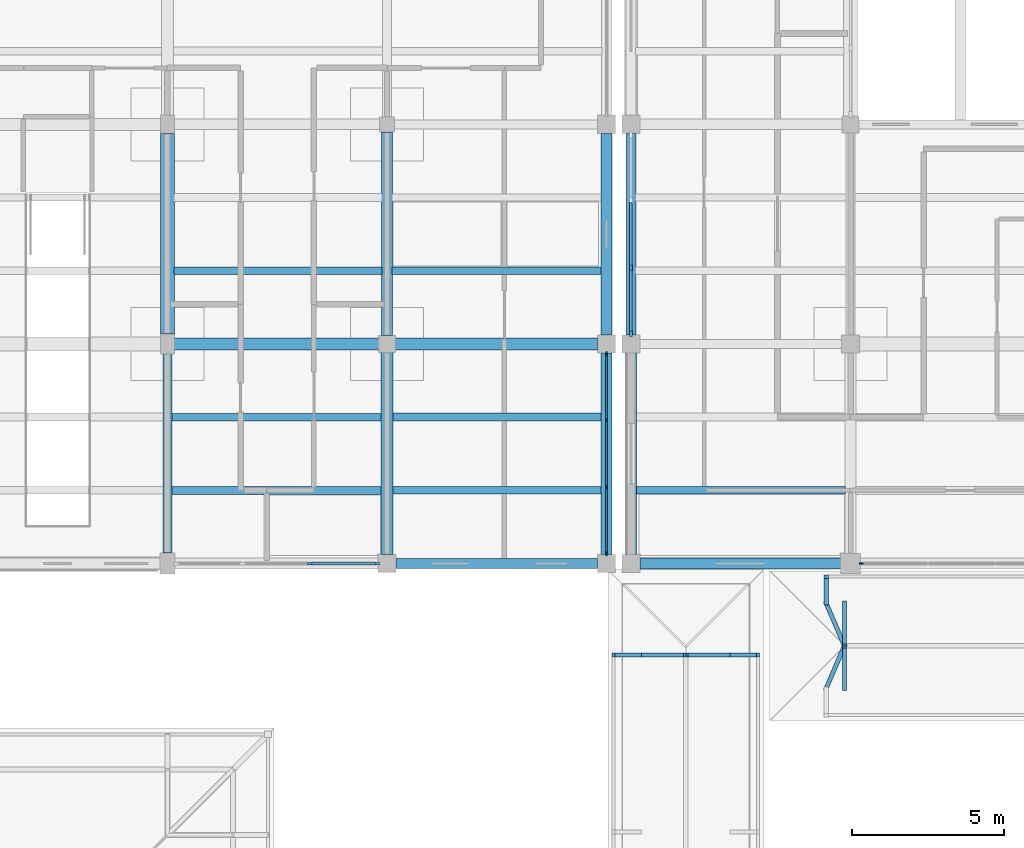
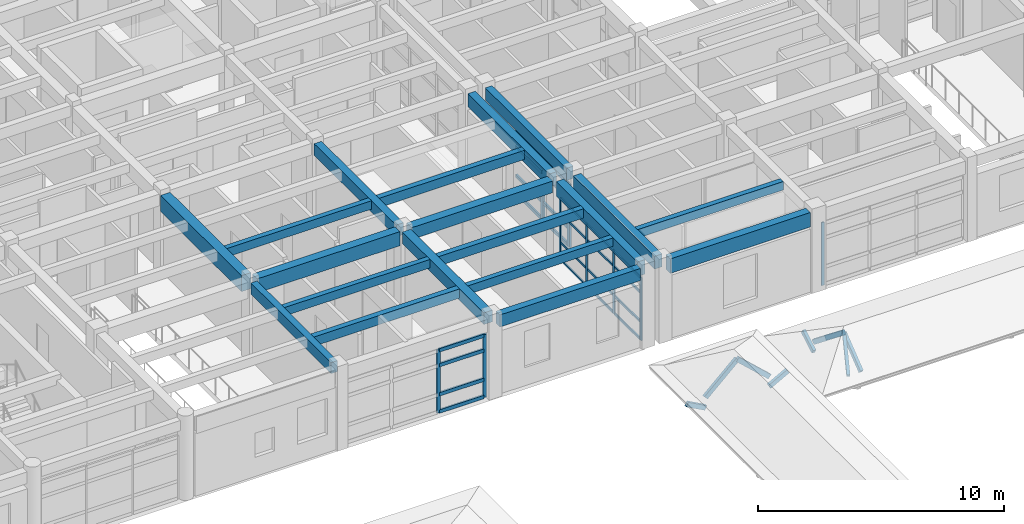
# One storey, part 12 of 110: 42 members, 19 beams, 4 elements without a shape of their own.
"""IFC4 building model written with IfcOpenShell, lengths in metres."""

from ifc_helpers import new_model, si_unit, direction, frame, origin, origin_2d, place, context, subcontext, project, spatial, rectangle, extrude, material, material_profile, profile_set, type_object, element, aggregate, save


model = new_model("IFC4")

# Units and contexts
model_context = context("Model", 3, precision=1e-05, world=origin(), true_north=direction((0.0, 1.0)))
body_context = subcontext(model_context, "Body", "Model", "MODEL_VIEW")
ifc_project = project(units=[si_unit("LENGTHUNIT", "METRE"), si_unit("AREAUNIT", "SQUARE_METRE"), si_unit("VOLUMEUNIT", "CUBIC_METRE"), si_unit("PLANEANGLEUNIT", "RADIAN"), si_unit("MASSUNIT", "GRAM", prefix="KILO")], contexts=[model_context])

# Site, building, storey
site_placement = place(None, origin())
site = spatial("IfcSite", under=ifc_project, at=site_placement, CompositionType="ELEMENT")
building_placement = place(site_placement, origin())
building = spatial("IfcBuilding", under=site, at=building_placement, Name="Steenspoor Specialist Clinic", CompositionType="ELEMENT")
storey_placement = place(building_placement, frame((0.0, 0.0, 4.800048828125)))
storey = spatial("IfcBuildingStorey", under=building, at=storey_placement, Name="L01", CompositionType="ELEMENT", Elevation=4.800048828125)

# Beams
ifc_material_1 = material(Name="Concrete C35/45", Category="concrete")
ifc_material_profile_1 = material_profile(ifc_material_1, rectangle(XDim=0.300048828125, YDim=0.550048828125, at=origin_2d()), Name="RC-BM-300X550")
ifc_profile_set_1 = profile_set([ifc_material_profile_1], Name="Concrete C35/45")
beam_type_1 = type_object("IfcBeamType", Name="BM-RC-300X550", PredefinedType="BEAM", material=ifc_profile_set_1)
beam_1_placement = place(storey_placement, frame((37.199951171875, 65.4951171875, 3.675048828125), z_axis=(0.0, 1.0, 0.0), x_axis=(-1.0, 0.0, 0.0)))
element("IfcBeam", 1, at=beam_1_placement, inside=storey, type_object=beam_type_1, Name="BM-V5-L01-Y1188", PredefinedType="BEAM", context=body_context, shape_type="SweptSolid", body=[
    extrude(rectangle(XDim=0.300048828125, YDim=0.550048828125, at=origin_2d()), origin(), (0.0, 0.0, 1.0), 6.534912109375),
])
ifc_material_profile_2 = material_profile(ifc_material_1, rectangle(XDim=0.35009765625, YDim=0.580078125, at=origin_2d()), Name="RC-BM-350X580")
ifc_profile_set_2 = profile_set([ifc_material_profile_2], Name="Concrete C35/45")
beam_type_2 = type_object("IfcBeamType", Name="BM-RC-350X580", PredefinedType="BEAM", material=ifc_profile_set_2)
beam_2_placement = place(storey_placement, frame((44.39990234375, 72.6201171875, 3.659912109375), z_axis=(0.0, 1.0, 0.0), x_axis=(-1.0, 0.0, 0.0)))
element("IfcBeam", 2, at=beam_2_placement, inside=storey, type_object=beam_type_2, Name="BM-V5-L01-Y1195", PredefinedType="BEAM", context=body_context, shape_type="SweptSolid", body=[
    extrude(rectangle(XDim=0.35009765625, YDim=0.580078125, at=origin_2d()), origin(), (0.0, 0.0, 1.0), 6.684814453125),
])
ifc_material_profile_3 = material_profile(ifc_material_1, rectangle(XDim=0.39990234375, YDim=0.580078125, at=origin_2d()), Name="RC-BM-400X580")
ifc_profile_set_3 = profile_set([ifc_material_profile_3], Name="Concrete C35/45")
beam_type_3 = type_object("IfcBeamType", Name="BM-RC-400X580", PredefinedType="BEAM", material=ifc_profile_set_3)
for number, where, z_axis, x_axis, name in (
    (3, (44.669921875, 72.35009765625, 3.659912109375), (1.0, 0.0, 0.0), (0.0, 1.0, 0.0), "BM-V5-L01-X1160"),
    (4, (44.39990234375, 65.445068359375, 3.659912109375), (0.0, 1.0, 0.0), (-1.0, 0.0, 0.0), "BM-V5-L01-Y1194"),
):
    element("IfcBeam", number, at=place(storey_placement, frame(where, z_axis=z_axis, x_axis=x_axis)), inside=storey, type_object=beam_type_3, Name=name, PredefinedType="BEAM", context=body_context, shape_type="SweptSolid", body=[
        extrude(rectangle(XDim=0.39990234375, YDim=0.580078125, at=origin_2d()), origin(), (0.0, 0.0, 1.0), 6.635009765625),
    ])
ifc_material_profile_4 = material_profile(ifc_material_1, rectangle(XDim=0.39990234375, YDim=0.699951171875, at=origin_2d()), Name="RC-BM-400X700")
ifc_profile_set_4 = profile_set([ifc_material_profile_4], Name="Concrete C35/45")
beam_type_4 = type_object("IfcBeamType", Name="BM-RC-400X700", PredefinedType="BEAM", material=ifc_profile_set_4)
beam_3_placement = place(storey_placement, frame((37.419921875, 72.35009765625, 3.599853515625), z_axis=(1.0, 0.0, 0.0), x_axis=(0.0, 1.0, 0.0)))
element("IfcBeam", 5, at=beam_3_placement, inside=storey, type_object=beam_type_4, Name="BM-V5-L01-X1159", PredefinedType="BEAM", context=body_context, shape_type="SweptSolid", body=[
    extrude(rectangle(XDim=0.39990234375, YDim=0.699951171875, at=origin_2d()), origin(), (0.0, 0.0, 1.0), 6.7099609375),
])
ifc_material_profile_5 = material_profile(ifc_material_1, rectangle(XDim=0.449951171875, YDim=0.800048828125, at=origin_2d()), Name="RC-BM-450X800")
ifc_profile_set_5 = profile_set([ifc_material_profile_5], Name="Concrete C35/45")
beam_type_5 = type_object("IfcBeamType", Name="BM-RC-450X800", PredefinedType="BEAM", material=ifc_profile_set_5)
beam_4_placement = place(storey_placement, frame((37.199951171875, 72.669921875, 3.550048828125), z_axis=(0.0, 1.0, 0.0), x_axis=(-1.0, 0.0, 0.0)))
element("IfcBeam", 6, at=beam_4_placement, inside=storey, type_object=beam_type_5, Name="BM-V5-L01-Y1189", PredefinedType="BEAM", context=body_context, shape_type="SweptSolid", body=[
    extrude(rectangle(XDim=0.449951171875, YDim=0.800048828125, at=origin_2d()), origin(), (0.0, 0.0, 1.0), 6.5849609375),
])

# Curtain wall, member
ifc_material_2 = material(Name="Thermally broken aluminium and low-emissivity glass", Category="aluminium")
curtain_wall_type_1 = type_object("IfcCurtainWallType", Name="CW-TYP-240X355", PredefinedType="USERDEFINED", material=ifc_material_2)
curtain_wall_1_placement = place(storey_placement, origin())
curtain_wall_1 = element("IfcCurtainWall", 7, at=curtain_wall_1_placement, inside=storey, type_object=curtain_wall_type_1, Name="Unitised Curtain Wall CW-V4-L01-064", ObjectType="UNITISED GLAZING", PredefinedType="USERDEFINED")
ifc_material_3 = material(Name="Thermally broken aluminium 6063-T6", Category="aluminium")
ifc_material_profile_6 = material_profile(ifc_material_3, rectangle(XDim=0.06005859375, YDim=0.135009765625, at=origin_2d()), Name="CWM-60X135")
ifc_profile_set_6 = profile_set([ifc_material_profile_6], Name="Thermally broken aluminium 6063-T6")
member_type_1 = type_object("IfcMemberType", Name="CW-MULL-60X135", PredefinedType="MULLION", material=ifc_profile_set_6)
member_1_placement = place(storey_placement, frame((59.955078125, 65.14990234375, 0.0), z_axis=(0.0, 0.0, 1.0), x_axis=(0.0, -1.0, 0.0)))
member_1 = element("IfcMember", 8, at=member_1_placement, type_object=member_type_1, Name="CW-16 mullion 4", PredefinedType="MULLION", context=body_context, shape_type="SweptSolid", body=[
    extrude(rectangle(XDim=0.06005859375, YDim=0.135009765625, at=origin_2d()), origin(), (0.0, 0.0, 1.0), 3.1298828125),
])
aggregate(curtain_wall_1, [member_1])

# Curtain wall, members
curtain_wall_type_2 = type_object("IfcCurtainWallType", Name="CW-L00-660X415", PredefinedType="USERDEFINED", material=ifc_material_2)
curtain_wall_2_placement = place(storey_placement, origin())
curtain_wall_2 = element("IfcCurtainWall", 9, at=curtain_wall_2_placement, inside=storey, type_object=curtain_wall_type_2, Name="Unitised Curtain Wall CW-V5-L01-148", ObjectType="UNITISED GLAZING", PredefinedType="USERDEFINED")
member_2_placement = place(storey_placement, frame((51.60009765625, 72.02001953125, 0.0), z_axis=(0.0, 0.0, 1.0), x_axis=(1.0, 0.0, 0.0)))
member_2 = element("IfcMember", 10, at=member_2_placement, type_object=member_type_1, Name="CW-04 mullion 1", PredefinedType="MULLION", context=body_context, shape_type="SweptSolid", body=[
    extrude(rectangle(XDim=0.06005859375, YDim=0.135009765625, at=origin_2d()), origin(), (0.0, 0.0, 1.0), 3.1298828125),
])
member_3_placement = place(storey_placement, frame((51.60009765625, 69.85009765625, 0.0), z_axis=(0.0, 0.0, 1.0), x_axis=(1.0, 0.0, 0.0)))
member_3 = element("IfcMember", 11, at=member_3_placement, type_object=member_type_1, Name="CW-04 mullion 2", PredefinedType="MULLION", context=body_context, shape_type="SweptSolid", body=[
    extrude(rectangle(XDim=0.06005859375, YDim=0.135009765625, at=origin_2d()), origin(), (0.0, 0.0, 1.0), 3.1298828125),
])
member_4_placement = place(storey_placement, frame((51.60009765625, 67.64990234375, 0.0), z_axis=(0.0, 0.0, 1.0), x_axis=(1.0, 0.0, 0.0)))
member_4 = element("IfcMember", 12, at=member_4_placement, type_object=member_type_1, Name="CW-04 mullion 3", PredefinedType="MULLION", context=body_context, shape_type="SweptSolid", body=[
    extrude(rectangle(XDim=0.06005859375, YDim=0.135009765625, at=origin_2d()), origin(), (0.0, 0.0, 1.0), 3.1298828125),
])
member_5_placement = place(storey_placement, frame((51.60009765625, 65.47998046875, 0.0), z_axis=(0.0, 0.0, 1.0), x_axis=(1.0, 0.0, 0.0)))
member_5 = element("IfcMember", 13, at=member_5_placement, type_object=member_type_1, Name="CW-04 mullion 4", PredefinedType="MULLION", context=body_context, shape_type="SweptSolid", body=[
    extrude(rectangle(XDim=0.06005859375, YDim=0.135009765625, at=origin_2d()), origin(), (0.0, 0.0, 1.0), 3.1298828125),
])

curtain_wall_type_3 = type_object("IfcCurtainWallType", Name="CW-SCR-360X320", PredefinedType="USERDEFINED", material=ifc_material_2)
curtain_wall_3_placement = place(storey_placement, origin())
curtain_wall_3 = element("IfcCurtainWall", 14, at=curtain_wall_3_placement, inside=storey, type_object=curtain_wall_type_3, Name="Unitised Curtain Wall CW-V5-L01-139", ObjectType="UNITISED GLAZING", PredefinedType="USERDEFINED")
ifc_material_profile_7 = material_profile(ifc_material_3, rectangle(XDim=0.080078125, YDim=0.179931640625, at=origin_2d()), Name="CWM-80X180")
ifc_profile_set_7 = profile_set([ifc_material_profile_7], Name="Thermally broken aluminium 6063-T6")
member_type_2 = type_object("IfcMemberType", Name="CW-MULL-80X180", PredefinedType="MULLION", material=ifc_profile_set_7)
member_6_placement = place(storey_placement, frame((44.06005859375, 65.14990234375, 0.0), z_axis=(0.0, 0.0, 1.0), x_axis=(0.0, -1.0, 0.0)))
member_6 = element("IfcMember", 15, at=member_6_placement, type_object=member_type_2, Name="CW-19 mullion 1", PredefinedType="MULLION", context=body_context, shape_type="SweptSolid", body=[
    extrude(rectangle(XDim=0.080078125, YDim=0.179931640625, at=origin_2d()), origin(), (0.0, 0.0, 1.0), 3.1298828125),
])
member_7_placement = place(storey_placement, frame((41.88330078125, 65.14990234375, 0.0), z_axis=(0.0, 0.0, 1.0), x_axis=(0.0, -1.0, 0.0)))
member_7 = element("IfcMember", 16, at=member_7_placement, type_object=member_type_2, Name="CW-19 mullion 2", PredefinedType="MULLION", context=body_context, shape_type="SweptSolid", body=[
    extrude(rectangle(XDim=0.080078125, YDim=0.179931640625, at=origin_2d()), origin(), (0.0, 0.0, 1.0), 3.1298828125),
])

curtain_wall_type_4 = type_object("IfcCurtainWallType", Name="CW-SCR-660X320", PredefinedType="USERDEFINED", material=ifc_material_2)
curtain_wall_4_placement = place(storey_placement, origin())
curtain_wall_4 = element("IfcCurtainWall", 17, at=curtain_wall_4_placement, inside=storey, type_object=curtain_wall_type_4, Name="Unitised Curtain Wall CW-V4-L01-065", ObjectType="UNITISED GLAZING", PredefinedType="USERDEFINED")
ifc_material_profile_8 = material_profile(ifc_material_3, rectangle(XDim=0.090087890625, YDim=0.199951171875, at=origin_2d()), Name="CWM-90X200")
ifc_profile_set_8 = profile_set([ifc_material_profile_8], Name="Thermally broken aluminium 6063-T6")
member_type_3 = type_object("IfcMemberType", Name="CW-MULL-90X200", PredefinedType="MULLION", material=ifc_profile_set_8)
member_8_placement = place(storey_placement, frame((52.39990234375, 72.695068359375, 0.0), z_axis=(0.0, 0.0, 1.0), x_axis=(-1.0, 0.0, 0.0)))
member_8 = element("IfcMember", 18, at=member_8_placement, type_object=member_type_3, Name="CW-17 mullion 1", PredefinedType="MULLION", context=body_context, shape_type="SweptSolid", body=[
    extrude(rectangle(XDim=0.090087890625, YDim=0.199951171875, at=origin_2d()), origin(), (0.0, 0.0, 1.0), 3.1298828125),
])
member_9_placement = place(storey_placement, frame((52.39990234375, 74.85009765625, 0.0), z_axis=(0.0, 0.0, 1.0), x_axis=(-1.0, 0.0, 0.0)))
member_9 = element("IfcMember", 19, at=member_9_placement, type_object=member_type_3, Name="CW-17 mullion 2", PredefinedType="MULLION", context=body_context, shape_type="SweptSolid", body=[
    extrude(rectangle(XDim=0.090087890625, YDim=0.199951171875, at=origin_2d()), origin(), (0.0, 0.0, 1.0), 3.1298828125),
])

# Member
ifc_material_profile_9 = material_profile(ifc_material_3, rectangle(XDim=0.06005859375, YDim=0.114990234375, at=origin_2d()), Name="CWT-60X115")
ifc_profile_set_9 = profile_set([ifc_material_profile_9], Name="Thermally broken aluminium 6063-T6")
member_type_4 = type_object("IfcMemberType", Name="CW-TRAN-60X115", PredefinedType="USERDEFINED", material=ifc_profile_set_9)
member_10_placement = place(storey_placement, frame((51.60009765625, 71.989990234375, 0.030029296875), z_axis=(0.0, -1.0, 0.0), x_axis=(1.0, 0.0, 0.0)))
member_10 = element("IfcMember", 20, at=member_10_placement, type_object=member_type_4, Name="CW-04 transom 1.1", ObjectType="TRANSOM", PredefinedType="USERDEFINED", context=body_context, shape_type="SweptSolid", body=[
    extrude(rectangle(XDim=0.06005859375, YDim=0.114990234375, at=origin_2d()), origin(), (0.0, 0.0, 1.0), 2.110107421875),
])

member_11_placement = place(storey_placement, frame((51.60009765625, 71.989990234375, 0.89990234375), z_axis=(0.0, -1.0, 0.0), x_axis=(1.0, 0.0, 0.0)))
member_11 = element("IfcMember", 21, at=member_11_placement, type_object=member_type_4, Name="CW-04 transom 1.2", ObjectType="TRANSOM", PredefinedType="USERDEFINED", context=body_context, shape_type="SweptSolid", body=[
    extrude(rectangle(XDim=0.06005859375, YDim=0.114990234375, at=origin_2d()), origin(), (0.0, 0.0, 1.0), 2.110107421875),
])

member_12_placement = place(storey_placement, frame((51.60009765625, 71.989990234375, 2.349853515625), z_axis=(0.0, -1.0, 0.0), x_axis=(1.0, 0.0, 0.0)))
member_12 = element("IfcMember", 22, at=member_12_placement, type_object=member_type_4, Name="CW-04 transom 1.3", ObjectType="TRANSOM", PredefinedType="USERDEFINED", context=body_context, shape_type="SweptSolid", body=[
    extrude(rectangle(XDim=0.06005859375, YDim=0.114990234375, at=origin_2d()), origin(), (0.0, 0.0, 1.0), 2.110107421875),
])

member_13_placement = place(storey_placement, frame((51.60009765625, 71.989990234375, 3.099853515625), z_axis=(0.0, -1.0, 0.0), x_axis=(1.0, 0.0, 0.0)))
member_13 = element("IfcMember", 23, at=member_13_placement, type_object=member_type_4, Name="CW-04 transom 1.4", ObjectType="TRANSOM", PredefinedType="USERDEFINED", context=body_context, shape_type="SweptSolid", body=[
    extrude(rectangle(XDim=0.06005859375, YDim=0.114990234375, at=origin_2d()), origin(), (0.0, 0.0, 1.0), 2.110107421875),
])

member_14_placement = place(storey_placement, frame((51.60009765625, 69.820068359375, 0.030029296875), z_axis=(0.0, -1.0, 0.0), x_axis=(1.0, 0.0, 0.0)))
member_14 = element("IfcMember", 24, at=member_14_placement, type_object=member_type_4, Name="CW-04 transom 2.1", ObjectType="TRANSOM", PredefinedType="USERDEFINED", context=body_context, shape_type="SweptSolid", body=[
    extrude(rectangle(XDim=0.06005859375, YDim=0.114990234375, at=origin_2d()), origin(), (0.0, 0.0, 1.0), 2.14013671875),
])

member_15_placement = place(storey_placement, frame((51.60009765625, 69.820068359375, 0.89990234375), z_axis=(0.0, -1.0, 0.0), x_axis=(1.0, 0.0, 0.0)))
member_15 = element("IfcMember", 25, at=member_15_placement, type_object=member_type_4, Name="CW-04 transom 2.2", ObjectType="TRANSOM", PredefinedType="USERDEFINED", context=body_context, shape_type="SweptSolid", body=[
    extrude(rectangle(XDim=0.06005859375, YDim=0.114990234375, at=origin_2d()), origin(), (0.0, 0.0, 1.0), 2.14013671875),
])

member_16_placement = place(storey_placement, frame((51.60009765625, 69.820068359375, 2.349853515625), z_axis=(0.0, -1.0, 0.0), x_axis=(1.0, 0.0, 0.0)))
member_16 = element("IfcMember", 26, at=member_16_placement, type_object=member_type_4, Name="CW-04 transom 2.3", ObjectType="TRANSOM", PredefinedType="USERDEFINED", context=body_context, shape_type="SweptSolid", body=[
    extrude(rectangle(XDim=0.06005859375, YDim=0.114990234375, at=origin_2d()), origin(), (0.0, 0.0, 1.0), 2.14013671875),
])

member_17_placement = place(storey_placement, frame((51.60009765625, 69.820068359375, 3.099853515625), z_axis=(0.0, -1.0, 0.0), x_axis=(1.0, 0.0, 0.0)))
member_17 = element("IfcMember", 27, at=member_17_placement, type_object=member_type_4, Name="CW-04 transom 2.4", ObjectType="TRANSOM", PredefinedType="USERDEFINED", context=body_context, shape_type="SweptSolid", body=[
    extrude(rectangle(XDim=0.06005859375, YDim=0.114990234375, at=origin_2d()), origin(), (0.0, 0.0, 1.0), 2.14013671875),
])

member_18_placement = place(storey_placement, frame((51.60009765625, 67.6201171875, 0.030029296875), z_axis=(0.0, -1.0, 0.0), x_axis=(1.0, 0.0, 0.0)))
member_18 = element("IfcMember", 28, at=member_18_placement, type_object=member_type_4, Name="CW-04 transom 3.1", ObjectType="TRANSOM", PredefinedType="USERDEFINED", context=body_context, shape_type="SweptSolid", body=[
    extrude(rectangle(XDim=0.06005859375, YDim=0.114990234375, at=origin_2d()), origin(), (0.0, 0.0, 1.0), 2.110107421875),
])

member_19_placement = place(storey_placement, frame((51.60009765625, 67.6201171875, 0.89990234375), z_axis=(0.0, -1.0, 0.0), x_axis=(1.0, 0.0, 0.0)))
member_19 = element("IfcMember", 29, at=member_19_placement, type_object=member_type_4, Name="CW-04 transom 3.2", ObjectType="TRANSOM", PredefinedType="USERDEFINED", context=body_context, shape_type="SweptSolid", body=[
    extrude(rectangle(XDim=0.06005859375, YDim=0.114990234375, at=origin_2d()), origin(), (0.0, 0.0, 1.0), 2.110107421875),
])

member_20_placement = place(storey_placement, frame((51.60009765625, 67.6201171875, 2.349853515625), z_axis=(0.0, -1.0, 0.0), x_axis=(1.0, 0.0, 0.0)))
member_20 = element("IfcMember", 30, at=member_20_placement, type_object=member_type_4, Name="CW-04 transom 3.3", ObjectType="TRANSOM", PredefinedType="USERDEFINED", context=body_context, shape_type="SweptSolid", body=[
    extrude(rectangle(XDim=0.06005859375, YDim=0.114990234375, at=origin_2d()), origin(), (0.0, 0.0, 1.0), 2.110107421875),
])

member_21_placement = place(storey_placement, frame((51.60009765625, 67.6201171875, 3.099853515625), z_axis=(0.0, -1.0, 0.0), x_axis=(1.0, 0.0, 0.0)))
member_21 = element("IfcMember", 31, at=member_21_placement, type_object=member_type_4, Name="CW-04 transom 3.4", ObjectType="TRANSOM", PredefinedType="USERDEFINED", context=body_context, shape_type="SweptSolid", body=[
    extrude(rectangle(XDim=0.06005859375, YDim=0.114990234375, at=origin_2d()), origin(), (0.0, 0.0, 1.0), 2.110107421875),
])

aggregate(curtain_wall_2, [member_2, member_3, member_4, member_5, member_10, member_11, member_12, member_13, member_14, member_15, member_16, member_17, member_18, member_19, member_20, member_21])

ifc_material_profile_10 = material_profile(ifc_material_3, rectangle(XDim=0.080078125, YDim=0.159912109375, at=origin_2d()), Name="CWT-80X160")
ifc_profile_set_10 = profile_set([ifc_material_profile_10], Name="Thermally broken aluminium 6063-T6")
member_type_5 = type_object("IfcMemberType", Name="CW-TRAN-80X160", PredefinedType="USERDEFINED", material=ifc_profile_set_10)
member_22_placement = place(storey_placement, frame((52.39990234375, 72.739990234375, 0.0400390625), z_axis=(0.0, 1.0, 0.0), x_axis=(-1.0, 0.0, 0.0)))
member_22 = element("IfcMember", 32, at=member_22_placement, type_object=member_type_5, Name="CW-17 transom 1.1", ObjectType="TRANSOM", PredefinedType="USERDEFINED", context=body_context, shape_type="SweptSolid", body=[
    extrude(rectangle(XDim=0.080078125, YDim=0.159912109375, at=origin_2d()), origin(), (0.0, 0.0, 1.0), 2.06494140625),
])

member_23_placement = place(storey_placement, frame((52.39990234375, 72.739990234375, 0.89990234375), z_axis=(0.0, 1.0, 0.0), x_axis=(-1.0, 0.0, 0.0)))
member_23 = element("IfcMember", 33, at=member_23_placement, type_object=member_type_5, Name="CW-17 transom 1.2", ObjectType="TRANSOM", PredefinedType="USERDEFINED", context=body_context, shape_type="SweptSolid", body=[
    extrude(rectangle(XDim=0.080078125, YDim=0.159912109375, at=origin_2d()), origin(), (0.0, 0.0, 1.0), 2.06494140625),
])

member_24_placement = place(storey_placement, frame((52.39990234375, 72.739990234375, 2.349853515625), z_axis=(0.0, 1.0, 0.0), x_axis=(-1.0, 0.0, 0.0)))
member_24 = element("IfcMember", 34, at=member_24_placement, type_object=member_type_5, Name="CW-17 transom 1.3", ObjectType="TRANSOM", PredefinedType="USERDEFINED", context=body_context, shape_type="SweptSolid", body=[
    extrude(rectangle(XDim=0.080078125, YDim=0.159912109375, at=origin_2d()), origin(), (0.0, 0.0, 1.0), 2.06494140625),
])

member_25_placement = place(storey_placement, frame((52.39990234375, 72.739990234375, 3.08984375), z_axis=(0.0, 1.0, 0.0), x_axis=(-1.0, 0.0, 0.0)))
member_25 = element("IfcMember", 35, at=member_25_placement, type_object=member_type_5, Name="CW-17 transom 1.4", ObjectType="TRANSOM", PredefinedType="USERDEFINED", context=body_context, shape_type="SweptSolid", body=[
    extrude(rectangle(XDim=0.080078125, YDim=0.159912109375, at=origin_2d()), origin(), (0.0, 0.0, 1.0), 2.06494140625),
])

member_26_placement = place(storey_placement, frame((52.39990234375, 74.89501953125, 0.0400390625), z_axis=(0.0, 1.0, 0.0), x_axis=(-1.0, 0.0, 0.0)))
member_26 = element("IfcMember", 36, at=member_26_placement, type_object=member_type_5, Name="CW-17 transom 2.1", ObjectType="TRANSOM", PredefinedType="USERDEFINED", context=body_context, shape_type="SweptSolid", body=[
    extrude(rectangle(XDim=0.080078125, YDim=0.159912109375, at=origin_2d()), origin(), (0.0, 0.0, 1.0), 2.10986328125),
])

member_27_placement = place(storey_placement, frame((52.39990234375, 74.89501953125, 0.89990234375), z_axis=(0.0, 1.0, 0.0), x_axis=(-1.0, 0.0, 0.0)))
member_27 = element("IfcMember", 37, at=member_27_placement, type_object=member_type_5, Name="CW-17 transom 2.2", ObjectType="TRANSOM", PredefinedType="USERDEFINED", context=body_context, shape_type="SweptSolid", body=[
    extrude(rectangle(XDim=0.080078125, YDim=0.159912109375, at=origin_2d()), origin(), (0.0, 0.0, 1.0), 2.10986328125),
])

member_28_placement = place(storey_placement, frame((52.39990234375, 74.89501953125, 2.349853515625), z_axis=(0.0, 1.0, 0.0), x_axis=(-1.0, 0.0, 0.0)))
member_28 = element("IfcMember", 38, at=member_28_placement, type_object=member_type_5, Name="CW-17 transom 2.3", ObjectType="TRANSOM", PredefinedType="USERDEFINED", context=body_context, shape_type="SweptSolid", body=[
    extrude(rectangle(XDim=0.080078125, YDim=0.159912109375, at=origin_2d()), origin(), (0.0, 0.0, 1.0), 2.10986328125),
])

member_29_placement = place(storey_placement, frame((52.39990234375, 74.89501953125, 3.08984375), z_axis=(0.0, 1.0, 0.0), x_axis=(-1.0, 0.0, 0.0)))
member_29 = element("IfcMember", 39, at=member_29_placement, type_object=member_type_5, Name="CW-17 transom 2.4", ObjectType="TRANSOM", PredefinedType="USERDEFINED", context=body_context, shape_type="SweptSolid", body=[
    extrude(rectangle(XDim=0.080078125, YDim=0.159912109375, at=origin_2d()), origin(), (0.0, 0.0, 1.0), 2.10986328125),
])

aggregate(curtain_wall_4, [member_8, member_9, member_22, member_23, member_24, member_25, member_26, member_27, member_28, member_29])

ifc_material_profile_11 = material_profile(ifc_material_3, rectangle(XDim=0.090087890625, YDim=0.175048828125, at=origin_2d()), Name="CWT-90X175")
ifc_profile_set_11 = profile_set([ifc_material_profile_11], Name="Thermally broken aluminium 6063-T6")
member_type_6 = type_object("IfcMemberType", Name="CW-TRAN-90X175", PredefinedType="USERDEFINED", material=ifc_profile_set_11)
member_30_placement = place(storey_placement, frame((44.02001953125, 65.14990234375, 0.044921875), z_axis=(-1.0, 0.0, 0.0), x_axis=(0.0, -1.0, 0.0)))
member_30 = element("IfcMember", 40, at=member_30_placement, type_object=member_type_6, Name="CW-19 transom 1.1", ObjectType="TRANSOM", PredefinedType="USERDEFINED", context=body_context, shape_type="SweptSolid", body=[
    extrude(rectangle(XDim=0.090087890625, YDim=0.175048828125, at=origin_2d()), origin(), (0.0, 0.0, 1.0), 2.0966796875),
])

member_31_placement = place(storey_placement, frame((44.02001953125, 65.14990234375, 0.89990234375), z_axis=(-1.0, 0.0, 0.0), x_axis=(0.0, -1.0, 0.0)))
member_31 = element("IfcMember", 41, at=member_31_placement, type_object=member_type_6, Name="CW-19 transom 1.2", ObjectType="TRANSOM", PredefinedType="USERDEFINED", context=body_context, shape_type="SweptSolid", body=[
    extrude(rectangle(XDim=0.090087890625, YDim=0.175048828125, at=origin_2d()), origin(), (0.0, 0.0, 1.0), 2.0966796875),
])

member_32_placement = place(storey_placement, frame((44.02001953125, 65.14990234375, 2.349853515625), z_axis=(-1.0, 0.0, 0.0), x_axis=(0.0, -1.0, 0.0)))
member_32 = element("IfcMember", 42, at=member_32_placement, type_object=member_type_6, Name="CW-19 transom 1.3", ObjectType="TRANSOM", PredefinedType="USERDEFINED", context=body_context, shape_type="SweptSolid", body=[
    extrude(rectangle(XDim=0.090087890625, YDim=0.175048828125, at=origin_2d()), origin(), (0.0, 0.0, 1.0), 2.0966796875),
])

member_33_placement = place(storey_placement, frame((44.02001953125, 65.14990234375, 3.0849609375), z_axis=(-1.0, 0.0, 0.0), x_axis=(0.0, -1.0, 0.0)))
member_33 = element("IfcMember", 43, at=member_33_placement, type_object=member_type_6, Name="CW-19 transom 1.4", ObjectType="TRANSOM", PredefinedType="USERDEFINED", context=body_context, shape_type="SweptSolid", body=[
    extrude(rectangle(XDim=0.090087890625, YDim=0.175048828125, at=origin_2d()), origin(), (0.0, 0.0, 1.0), 2.0966796875),
])

aggregate(curtain_wall_3, [member_6, member_7, member_30, member_31, member_32, member_33])

# Beams
ifc_material_profile_12 = material_profile(ifc_material_1, rectangle(XDim=0.239990234375, YDim=0.419921875, at=origin_2d()), Name="RC-JT-240X420")
ifc_profile_set_12 = profile_set([ifc_material_profile_12], Name="Concrete C35/45")
beam_type_6 = type_object("IfcBeamType", Name="JT-RC-240X420", PredefinedType="JOIST", material=ifc_profile_set_12)
beam_5_placement = place(storey_placement, frame((52.574951171875, 67.550048828125, 3.739990234375), z_axis=(1.0, 0.0, 0.0), x_axis=(0.0, 1.0, 0.0)))
element("IfcBeam", 44, at=beam_5_placement, inside=storey, type_object=beam_type_6, Name="JT-V4-L01-0573", PredefinedType="JOIST", context=body_context, shape_type="SweptSolid", body=[
    extrude(rectangle(XDim=0.239990234375, YDim=0.419921875, at=origin_2d()), origin(), (0.0, 0.0, 1.0), 6.85498046875),
])
beam_6_placement = place(storey_placement, frame((37.344970703125, 69.949951171875, 3.739990234375), z_axis=(1.0, 0.0, 0.0), x_axis=(0.0, 1.0, 0.0)))
element("IfcBeam", 45, at=beam_6_placement, inside=storey, type_object=beam_type_6, Name="JT-V5-L01-1229", PredefinedType="JOIST", context=body_context, shape_type="SweptSolid", body=[
    extrude(rectangle(XDim=0.239990234375, YDim=0.419921875, at=origin_2d()), origin(), (0.0, 0.0, 1.0), 6.860107421875),
])
beam_7_placement = place(storey_placement, frame((37.419921875, 74.75, 3.739990234375), z_axis=(1.0, 0.0, 0.0), x_axis=(0.0, 1.0, 0.0)))
element("IfcBeam", 46, at=beam_7_placement, inside=storey, type_object=beam_type_6, Name="JT-V5-L01-1230", PredefinedType="JOIST", context=body_context, shape_type="SweptSolid", body=[
    extrude(rectangle(XDim=0.239990234375, YDim=0.419921875, at=origin_2d()), origin(), (0.0, 0.0, 1.0), 6.81005859375),
])
beam_8_placement = place(storey_placement, frame((44.594970703125, 67.550048828125, 3.739990234375), z_axis=(1.0, 0.0, 0.0), x_axis=(0.0, 1.0, 0.0)))
element("IfcBeam", 47, at=beam_8_placement, inside=storey, type_object=beam_type_6, Name="JT-V5-L01-1239", PredefinedType="JOIST", context=body_context, shape_type="SweptSolid", body=[
    extrude(rectangle(XDim=0.239990234375, YDim=0.419921875, at=origin_2d()), origin(), (0.0, 0.0, 1.0), 6.830078125),
])
ifc_material_profile_13 = material_profile(ifc_material_1, rectangle(XDim=0.260009765625, YDim=0.4599609375, at=origin_2d()), Name="RC-JT-260X460")
ifc_profile_set_13 = profile_set([ifc_material_profile_13], Name="Concrete C35/45")
beam_type_7 = type_object("IfcBeamType", Name="JT-RC-260X460", PredefinedType="JOIST", material=ifc_profile_set_13)
beam_9_placement = place(storey_placement, frame((37.344970703125, 67.550048828125, 3.719970703125), z_axis=(1.0, 0.0, 0.0), x_axis=(0.0, 1.0, 0.0)))
element("IfcBeam", 48, at=beam_9_placement, inside=storey, type_object=beam_type_7, Name="JT-V5-L01-1228", PredefinedType="JOIST", context=body_context, shape_type="SweptSolid", body=[
    extrude(rectangle(XDim=0.260009765625, YDim=0.4599609375, at=origin_2d()), origin(), (0.0, 0.0, 1.0), 6.860107421875),
])
beam_10_placement = place(storey_placement, frame((44.594970703125, 69.949951171875, 3.719970703125), z_axis=(1.0, 0.0, 0.0), x_axis=(0.0, 1.0, 0.0)))
element("IfcBeam", 49, at=beam_10_placement, inside=storey, type_object=beam_type_7, Name="JT-V5-L01-1240", PredefinedType="JOIST", context=body_context, shape_type="SweptSolid", body=[
    extrude(rectangle(XDim=0.260009765625, YDim=0.4599609375, at=origin_2d()), origin(), (0.0, 0.0, 1.0), 6.830078125),
])
beam_11_placement = place(storey_placement, frame((44.570068359375, 74.75, 3.719970703125), z_axis=(1.0, 0.0, 0.0), x_axis=(0.0, 1.0, 0.0)))
element("IfcBeam", 50, at=beam_11_placement, inside=storey, type_object=beam_type_7, Name="JT-V5-L01-1241", PredefinedType="JOIST", context=body_context, shape_type="SweptSolid", body=[
    extrude(rectangle(XDim=0.260009765625, YDim=0.4599609375, at=origin_2d()), origin(), (0.0, 0.0, 1.0), 6.85498046875),
])

# Members
ifc_material_4 = material(Name="Glulam GL28h", Category="wood")
ifc_material_profile_14 = material_profile(ifc_material_4, rectangle(XDim=0.139892578125, YDim=0.219970703125, at=origin_2d()), Name="GL28H-140X220")
ifc_profile_set_14 = profile_set([ifc_material_profile_14], Name="Glulam GL28h")
member_type_7 = type_object("IfcMemberType", Name="MEM-RAFTER-GL220", PredefinedType="RAFTER", material=ifc_profile_set_14)
member_34_placement = place(storey_placement, frame((52.699951171875, 62.14990234375, -1.715087890625), z_axis=(-0.878149761853, 0.0, 0.478385823115), x_axis=(0.0, -1.0, 0.0)))
element("IfcMember", 51, at=member_34_placement, inside=storey, type_object=member_type_7, Name="Walkway Eave Outrigger WK1 395", PredefinedType="RAFTER", context=body_context, shape_type="SweptSolid", body=[
    extrude(rectangle(XDim=0.139892578125, YDim=0.219970703125, at=origin_2d()), origin(), (0.0, 0.0, 1.0), 0.990478515625),
])
member_35_placement = place(storey_placement, frame((55.699951171875, 62.14990234375, -1.715087890625), z_axis=(0.878206147477, 0.0, 0.478282304224), x_axis=(0.0, 1.0, 0.0)))
element("IfcMember", 52, at=member_35_placement, inside=storey, type_object=member_type_7, Name="Walkway Eave Outrigger WK1 396", PredefinedType="RAFTER", context=body_context, shape_type="SweptSolid", body=[
    extrude(rectangle(XDim=0.139892578125, YDim=0.219970703125, at=origin_2d()), origin(), (0.0, 0.0, 1.0), 0.99072265625),
])
for number, where, z_axis, x_axis, name in (
    (53, (52.699951171875, 62.14990234375, -1.215087890625), (0.733634993371, 0.0, 0.679543741419), (0.0, 1.0, 0.0), "Walkway Rafter WK1"),
    (54, (55.699951171875, 62.14990234375, -1.215087890625), (-0.733634993371, 0.0, 0.679543741419), (0.0, -1.0, 0.0), "Walkway Rafter WK1"),
):
    element("IfcMember", number, at=place(storey_placement, frame(where, z_axis=z_axis, x_axis=x_axis)), inside=storey, type_object=member_type_7, Name=name, PredefinedType="RAFTER", context=body_context, shape_type="SweptSolid", body=[
        extrude(rectangle(XDim=0.139892578125, YDim=0.219970703125, at=origin_2d()), origin(), (0.0, 0.0, 1.0), 2.044677734375),
    ])
member_36_placement = place(storey_placement, frame((58.800048828125, 63.85009765625, -2.114990234375), z_axis=(0.0, 0.865930570761, 0.500164219654), x_axis=(-1.0, 0.0, 0.0)))
element("IfcMember", 55, at=member_36_placement, inside=storey, type_object=member_type_7, Name="Walkway Eave Outrigger WK4 410", PredefinedType="RAFTER", context=body_context, shape_type="SweptSolid", body=[
    extrude(rectangle(XDim=0.139892578125, YDim=0.219970703125, at=origin_2d()), origin(), (0.0, 0.0, 1.0), 1.004638671875),
])
member_37_placement = place(storey_placement, frame((59.39990234375, 61.050048828125, -1.614990234375), z_axis=(0.0, 0.787736864578, 0.61601187666), x_axis=(-1.0, 0.0, 0.0)))
element("IfcMember", 56, at=member_37_placement, inside=storey, type_object=member_type_7, Name="Walkway Rafter WK4", PredefinedType="RAFTER", context=body_context, shape_type="SweptSolid", body=[
    extrude(rectangle(XDim=0.139892578125, YDim=0.219970703125, at=origin_2d()), origin(), (0.0, 0.0, 1.0), 1.777099609375),
])
member_38_placement = place(storey_placement, frame((59.39990234375, 63.85009765625, -1.614990234375), z_axis=(0.0, -0.787788987788, 0.615945217304), x_axis=(1.0, 0.0, 0.0)))
element("IfcMember", 57, at=member_38_placement, inside=storey, type_object=member_type_7, Name="Walkway Rafter WK4", PredefinedType="RAFTER", context=body_context, shape_type="SweptSolid", body=[
    extrude(rectangle(XDim=0.139892578125, YDim=0.219970703125, at=origin_2d()), origin(), (0.0, 0.0, 1.0), 1.77734375),
])
for number, where, z_axis, x_axis, name in (
    (58, (58.800048828125, 61.050048828125, -1.614990234375), (0.31981490999, 0.746364954775, 0.583658956611), (-0.919169902586, 0.393861257526, 0.0), "Walkway Hip Rafter WK4"),
    (59, (58.800048828125, 63.85009765625, -1.614990234375), (0.319783841648, -0.746422601485, 0.583602257203), (0.919194764162, 0.393803232005, 0.0), "Walkway Hip Rafter WK4"),
):
    element("IfcMember", number, at=place(storey_placement, frame(where, z_axis=z_axis, x_axis=x_axis)), inside=storey, type_object=member_type_7, Name=name, PredefinedType="RAFTER", context=body_context, shape_type="SweptSolid", body=[
        extrude(rectangle(XDim=0.139892578125, YDim=0.219970703125, at=origin_2d()), origin(), (0.0, 0.0, 1.0), 1.875732421875),
    ])

# Beams
ifc_material_profile_15 = material_profile(ifc_material_1, rectangle(XDim=0.320068359375, YDim=0.60009765625, at=origin_2d()), Name="RC-SP-320X600")
ifc_profile_set_15 = profile_set([ifc_material_profile_15], Name="Concrete C35/45")
beam_type_8 = type_object("IfcBeamType", Name="SP-RC-320X600", PredefinedType="SPANDREL", material=ifc_profile_set_15)
for number, where, z_axis, x_axis, name in (
    (60, (52.39990234375, 72.64501953125, 3.64990234375), (0.0, 1.0, 0.0), (-1.0, 0.0, 0.0), "BM-V4-L01-Y0522"),
    (61, (44.695068359375, 65.14990234375, 3.64990234375), (1.0, 0.0, 0.0), (0.0, 1.0, 0.0), "BM-V5-L01-X1157"),
):
    element("IfcBeam", number, at=place(storey_placement, frame(where, z_axis=z_axis, x_axis=x_axis)), inside=storey, type_object=beam_type_8, Name=name, PredefinedType="SPANDREL", context=body_context, shape_type="SweptSolid", body=[
        extrude(rectangle(XDim=0.320068359375, YDim=0.60009765625, at=origin_2d()), origin(), (0.0, 0.0, 1.0), 6.60986328125),
    ])
ifc_material_profile_16 = material_profile(ifc_material_1, rectangle(XDim=0.360107421875, YDim=0.639892578125, at=origin_2d()), Name="RC-SP-360X640")
ifc_profile_set_16 = profile_set([ifc_material_profile_16], Name="Concrete C35/45")
beam_type_9 = type_object("IfcBeamType", Name="SP-RC-360X640", PredefinedType="SPANDREL", material=ifc_profile_set_16)
for number, where, z_axis, x_axis, name in (
    (62, (52.39990234375, 65.445068359375, 3.6298828125), (0.0, 1.0, 0.0), (-1.0, 0.0, 0.0), "BM-V4-L01-Y0521"),
    (63, (51.60009765625, 72.64501953125, 3.6298828125), (0.0, 1.0, 0.0), (-1.0, 0.0, 0.0), "BM-V5-L01-Y1201"),
):
    element("IfcBeam", number, at=place(storey_placement, frame(where, z_axis=z_axis, x_axis=x_axis)), inside=storey, type_object=beam_type_9, Name=name, PredefinedType="SPANDREL", context=body_context, shape_type="SweptSolid", body=[
        extrude(rectangle(XDim=0.360107421875, YDim=0.639892578125, at=origin_2d()), origin(), (0.0, 0.0, 1.0), 6.60986328125),
    ])
ifc_material_profile_17 = material_profile(ifc_material_1, rectangle(XDim=0.360107421875, YDim=0.719970703125, at=origin_2d()), Name="RC-SP-360X720")
ifc_profile_set_17 = profile_set([ifc_material_profile_17], Name="Concrete C35/45")
beam_type_10 = type_object("IfcBeamType", Name="SP-RC-360X720", PredefinedType="SPANDREL", material=ifc_profile_set_17)
beam_12_placement = place(storey_placement, frame((52.695068359375, 65.14990234375, 3.58984375), z_axis=(1.0, 0.0, 0.0), x_axis=(0.0, 1.0, 0.0)))
element("IfcBeam", 64, at=beam_12_placement, inside=storey, type_object=beam_type_10, Name="BM-V4-L01-X0475", PredefinedType="SPANDREL", context=body_context, shape_type="SweptSolid", body=[
    extrude(rectangle(XDim=0.360107421875, YDim=0.719970703125, at=origin_2d()), origin(), (0.0, 0.0, 1.0), 6.5849609375),
])
beam_13_placement = place(storey_placement, frame((51.60009765625, 65.445068359375, 3.58984375), z_axis=(0.0, 1.0, 0.0), x_axis=(-1.0, 0.0, 0.0)))
element("IfcBeam", 65, at=beam_13_placement, inside=storey, type_object=beam_type_10, Name="BM-V5-L01-Y1200", PredefinedType="SPANDREL", context=body_context, shape_type="SweptSolid", body=[
    extrude(rectangle(XDim=0.360107421875, YDim=0.719970703125, at=origin_2d()), origin(), (0.0, 0.0, 1.0), 6.60986328125),
])

save(model, "model.ifc")
